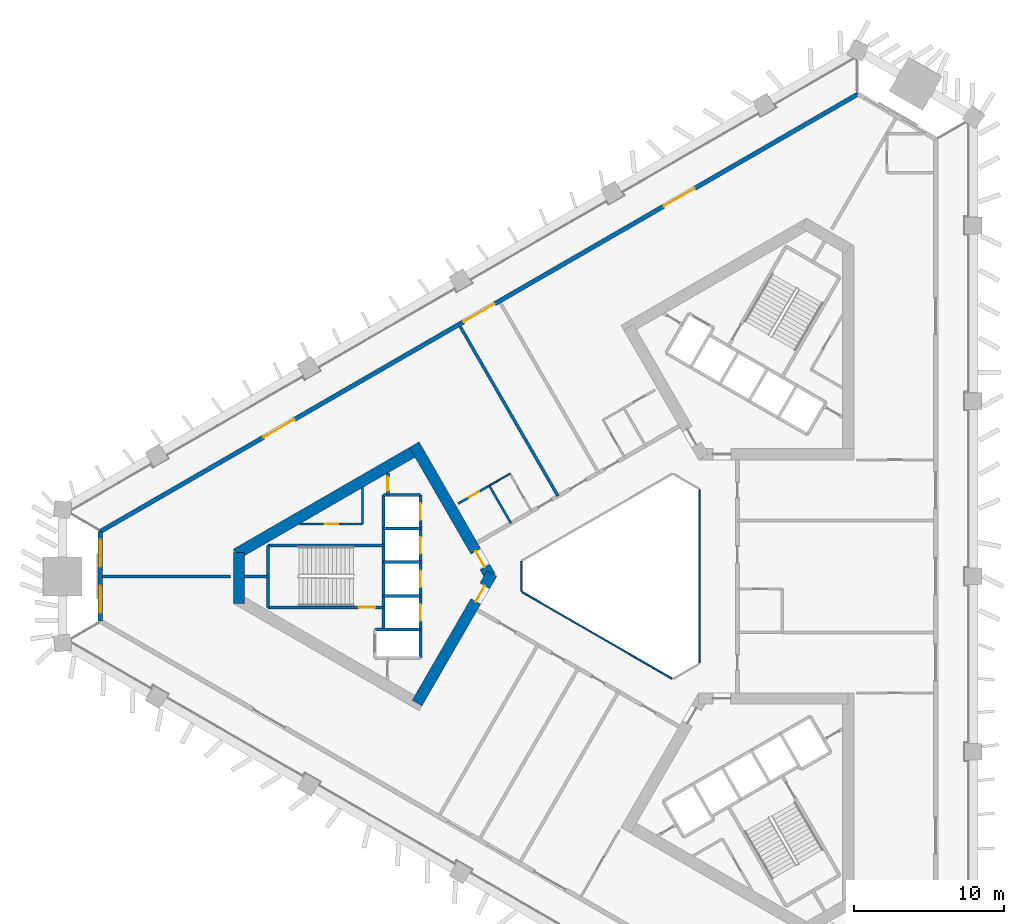
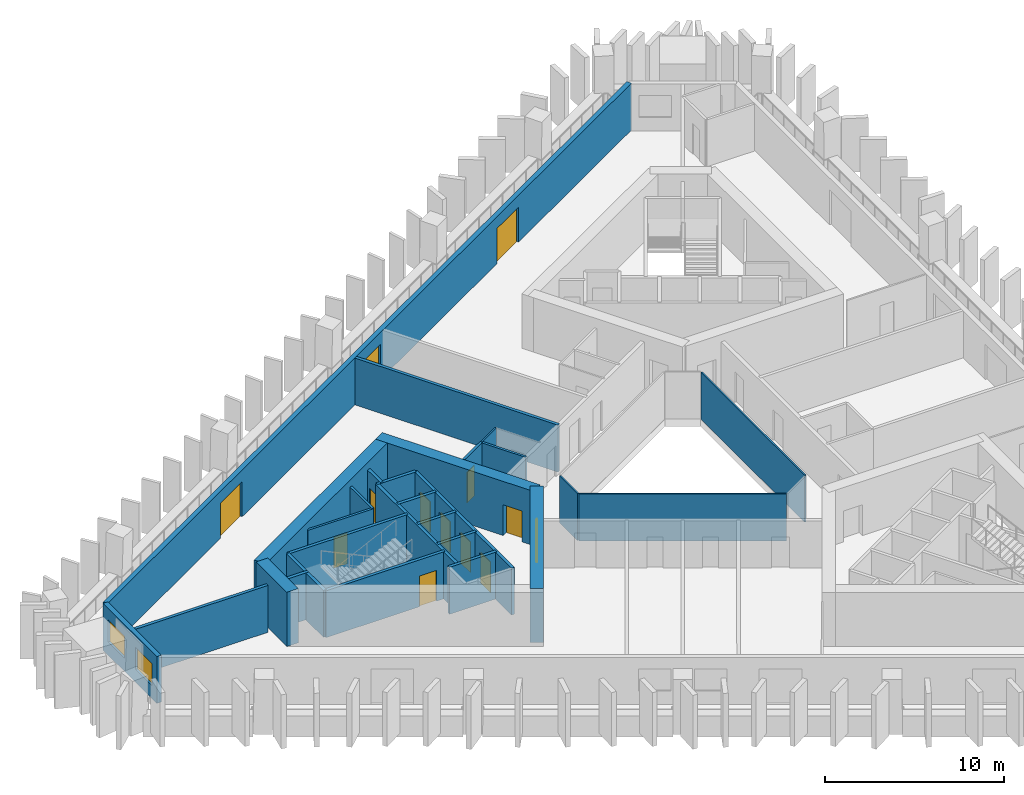
# One storey, part 4 of 10: 28 walls, 13 doors, 2 windows, 15 openings.
"""IFC4 building model written with IfcOpenShell, lengths in metres."""

from ifc_helpers import new_model, si_unit, direction, frame, frame_2d, origin, place, context, subcontext, project, spatial, rectangle, extrude, material, layer, layer_set, type_object, element, fill, save


model = new_model("IFC4")

# Units and contexts
model_context = context("Model", 3, precision=1e-05, world=origin(), true_north=direction((0.0, 1.0)))
body_context = subcontext(model_context, "Body", "Model", "MODEL_VIEW")
ifc_project = project(units=[si_unit("LENGTHUNIT", "METRE"), si_unit("AREAUNIT", "SQUARE_METRE"), si_unit("VOLUMEUNIT", "CUBIC_METRE"), si_unit("PLANEANGLEUNIT", "RADIAN"), si_unit("MASSUNIT", "GRAM", prefix="KILO")], contexts=[model_context])

# Site, building, storey
site_placement = place(None, origin())
site = spatial("IfcSite", under=ifc_project, at=site_placement, CompositionType="ELEMENT")
building_placement = place(site_placement, origin())
building = spatial("IfcBuilding", under=site, at=building_placement, Name="Jabali Bay Hotel Tower and Convention Centre", CompositionType="ELEMENT")
storey_placement = place(building_placement, frame((0.0, 0.0, 86.89990234375)))
storey = spatial("IfcBuildingStorey", under=building, at=storey_placement, Name="L20", CompositionType="ELEMENT", Elevation=86.89990234375)

# Walls
ifc_material_1 = material(Name="Fire-resistant glazing", Category="glass")
ifc_layer_1 = layer(ifc_material_1, 0.10009765625)
ifc_layer_set_1 = layer_set([ifc_layer_1], Name="Fire-resistant glazing")
wall_type_1 = type_object("IfcWallType", Name="Atrium glazed screen 100", PredefinedType="PARTITIONING", material=ifc_layer_set_1)
wall_1_placement = place(storey_placement, frame((79.56005859375, 74.205810546875, 0.0), z_axis=(0.0, 0.0, 1.0), x_axis=(0.0, 1.0, 0.0)))
element("IfcWall", 1, at=wall_1_placement, inside=storey, type_object=wall_type_1, Name="Atrium screen 1 L20", PredefinedType="PARTITIONING", context=body_context, shape_type="SweptSolid", body=[
    extrude(rectangle(XDim=11.58837890625, YDim=0.10009765625, at=frame_2d((5.794189453125, 0.0))), origin(), (0.0, 0.0, 1.0), 3.2001953125),
])
wall_2_placement = place(storey_placement, frame((67.672119140625, 81.0, 0.0), z_axis=(0.0, 0.0, 1.0), x_axis=(0.0, -1.0, 0.0)))
element("IfcWall", 2, at=wall_2_placement, inside=storey, type_object=wall_type_1, Name="Atrium screen 4 L20", PredefinedType="PARTITIONING", context=body_context, shape_type="SweptSolid", body=[
    extrude(rectangle(XDim=2.0, YDim=0.10009765625, at=frame_2d((1.0, 0.0))), origin(), (0.0, 0.0, 1.0), 3.2001953125),
])
wall_3_placement = place(storey_placement, frame((67.7021484375, 78.947998046875, 0.0), z_axis=(0.0, 0.0, 1.0), x_axis=(0.866026658274, -0.499997827154, 0.0)))
element("IfcWall", 3, at=wall_3_placement, inside=storey, type_object=wall_type_1, Name="Atrium screen 5 L20", PredefinedType="PARTITIONING", context=body_context, shape_type="SweptSolid", body=[
    extrude(rectangle(XDim=11.58837890625, YDim=0.10009765625, at=frame_2d((5.794189453125, 0.0))), origin(), (0.0, 0.0, 1.0), 3.2001953125),
])
ifc_material_2 = material(Name="Concrete C40", Category="concrete")
ifc_layer_2 = layer(ifc_material_2, 0.199951171875)
ifc_layer_set_2 = layer_set([ifc_layer_2], Name="Concrete C40")
wall_type_2 = type_object("IfcWallType", Name="Core partition wall 200", PredefinedType="PARTITIONING", material=ifc_layer_set_2)
wall_4_placement = place(storey_placement, frame((50.820068359375, 80.0, 0.0), z_axis=(0.0, 0.0, 1.0), x_axis=(-1.0, 0.0, 0.0)))
element("IfcWall", 4, at=wall_4_placement, inside=storey, type_object=wall_type_2, Name="Core wall 0.5 L20", PredefinedType="PARTITIONING", context=body_context, shape_type="SweptSolid", body=[
    extrude(rectangle(XDim=1.673095703125, YDim=0.199951171875, at=frame_2d((0.83642578125, 0.0))), origin(), (0.0, 0.0, 1.0), 3.2001953125),
])

# Wall, opening, door
wall_5_placement = place(storey_placement, frame((58.719970703125, 86.916748046875, 0.0), z_axis=(0.0, 0.0, 1.0), x_axis=(0.0, -1.0, 0.0)))
wall_5 = element("IfcWall", 5, at=wall_5_placement, inside=storey, type_object=wall_type_2, Name="Core wall 0.11 L20", PredefinedType="PARTITIONING", context=body_context, shape_type="SweptSolid", body=[
    extrude(rectangle(XDim=1.466796875, YDim=0.199951171875, at=frame_2d((0.7333984375, 0.0))), origin(), (0.0, 0.0, 1.0), 3.2001953125),
])
opening_1_placement = place(wall_5_placement, frame((0.283447265625, 0.0, 0.0)))
opening_1 = element("IfcOpeningElement", 6, at=opening_1_placement, cuts=wall_5, Name="Opening D477", PredefinedType="OPENING", context=body_context, shape_type="SweptSolid", body=[
    extrude(rectangle(XDim=0.89990234375, YDim=2.10009765625, at=frame_2d((0.449951171875, 1.050048828125))), frame((0.0, 0.1103515625, 0.0), z_axis=(0.0, -1.0, 0.0), x_axis=(1.0, 0.0, 0.0)), (0.0, 0.0, 1.0), 0.220947265625),
])
ifc_material_3 = material(Name="Fire-rated steel door", Category="steel")
door_type_1 = type_object("IfcDoorType", Name="Vestibule fire door 900 x 2100", OperationType="NOTDEFINED", PredefinedType="NOTDEFINED", material=ifc_material_3)
door_1_placement = place(opening_1_placement, origin())
door_1 = element("IfcDoor", 7, at=door_1_placement, inside=storey, type_object=door_type_1, Name="Vestibule fire door D477", OperationType="SINGLE_SWING_LEFT", OverallHeight=2.10009765625, OverallWidth=0.89990234375, PredefinedType="NOTDEFINED", context=body_context, shape_type="SweptSolid", body=[
    extrude(rectangle(XDim=0.89990234375, YDim=2.10009765625, at=frame_2d((0.449951171875, 1.050048828125))), frame((0.0, 0.02490234375, 0.0), z_axis=(0.0, -1.0, 0.0), x_axis=(1.0, 0.0, 0.0)), (0.0, 0.0, 1.0), 0.050048828125),
])
fill(opening_1, door_1)

ifc_material_4 = material(Name="Fire-rated board partition")
ifc_layer_3 = layer(ifc_material_4, 0.14990234375)
ifc_layer_set_3 = layer_set([ifc_layer_3], Name="Fire-rated board partition")
wall_type_3 = type_object("IfcWallType", Name="Core room partition 150", PredefinedType="PARTITIONING", material=ifc_layer_set_3)
wall_6_placement = place(storey_placement, frame((57.02001953125, 83.5, 0.0), z_axis=(0.0, 0.0, 1.0), x_axis=(-1.0, 0.0, 0.0)))
wall_6 = element("IfcWall", 8, at=wall_6_placement, inside=storey, type_object=wall_type_3, Name="Core wall 0.1 L20", PredefinedType="PARTITIONING", context=body_context, shape_type="SweptSolid", body=[
    extrude(rectangle(XDim=4.2177734375, YDim=0.14990234375, at=frame_2d((2.10888671875, 0.0))), origin(), (0.0, 0.0, 1.0), 3.2001953125),
])
opening_2_placement = place(wall_6_placement, frame((1.63134765625, 0.0, 0.0)))
opening_2 = element("IfcOpeningElement", 9, at=opening_2_placement, cuts=wall_6, Name="Opening D479", PredefinedType="OPENING", context=body_context, shape_type="SweptSolid", body=[
    extrude(rectangle(XDim=0.89990234375, YDim=2.10009765625, at=frame_2d((0.449951171875, 1.050048828125))), frame((0.0, 0.08544921875, 0.0), z_axis=(0.0, -1.0, 0.0), x_axis=(1.0, 0.0, 0.0)), (0.0, 0.0, 1.0), 0.1708984375),
])
door_type_2 = type_object("IfcDoorType", Name="Core room door 900 x 2100", OperationType="NOTDEFINED", PredefinedType="NOTDEFINED", material=ifc_material_3)
door_2_placement = place(opening_2_placement, origin())
door_2 = element("IfcDoor", 10, at=door_2_placement, inside=storey, type_object=door_type_2, Name="Core room door D479", OperationType="SINGLE_SWING_LEFT", OverallHeight=2.10009765625, OverallWidth=0.89990234375, PredefinedType="NOTDEFINED", context=body_context, shape_type="SweptSolid", body=[
    extrude(rectangle(XDim=0.89990234375, YDim=2.10009765625, at=frame_2d((0.449951171875, 1.050048828125))), frame((0.0, 0.02490234375, 0.0), z_axis=(0.0, -1.0, 0.0), x_axis=(1.0, 0.0, 0.0)), (0.0, 0.0, 1.0), 0.050048828125),
])
fill(opening_2, door_2)

# Walls
wall_7_placement = place(storey_placement, frame((57.02001953125, 85.935302734375, 0.0), z_axis=(0.0, 0.0, 1.0), x_axis=(0.0, -1.0, 0.0)))
element("IfcWall", 11, at=wall_7_placement, inside=storey, type_object=wall_type_3, Name="Core wall 0.15 L20", PredefinedType="PARTITIONING", context=body_context, shape_type="SweptSolid", body=[
    extrude(rectangle(XDim=2.435302734375, YDim=0.14990234375, at=frame_2d((1.2177734375, 0.0))), origin(), (0.0, 0.0, 1.0), 3.2001953125),
])
ifc_layer_4 = layer(ifc_material_2, 0.199951171875)
ifc_layer_set_4 = layer_set([ifc_layer_4], Name="Concrete C40")
wall_type_4 = type_object("IfcWallType", Name="Core stair wall 200", PredefinedType="SOLIDWALL", material=ifc_layer_set_4)
for number, where, z_axis, x_axis, name in (
    (12, (60.89990234375, 85.449951171875, 0.0), (0.0, 0.0, 1.0), (-1.0, 0.0, 0.0), "Core wall 0.0 L20"),
    (13, (60.89990234375, 83.199951171875, 0.0), (0.0, 0.0, 1.0), (-1.0, 0.0, 0.0), "Core wall 0.2 L20"),
):
    element("IfcWall", number, at=place(storey_placement, frame(where, z_axis=z_axis, x_axis=x_axis)), inside=storey, type_object=wall_type_4, Name=name, PredefinedType="SOLIDWALL", context=body_context, shape_type="SweptSolid", body=[
        extrude(rectangle(XDim=2.47998046875, YDim=0.199951171875, at=frame_2d((1.239990234375, 0.0))), origin(), (0.0, 0.0, 1.0), 3.2001953125),
    ])
wall_8_placement = place(storey_placement, frame((58.419921875, 82.074951171875, 0.0), z_axis=(0.0, 0.0, 1.0), x_axis=(-1.0, 0.0, 0.0)))
element("IfcWall", 14, at=wall_8_placement, inside=storey, type_object=wall_type_4, Name="Core wall 0.3 L20", PredefinedType="SOLIDWALL", context=body_context, shape_type="SweptSolid", body=[
    extrude(rectangle(XDim=7.699951171875, YDim=0.199951171875, at=frame_2d((3.85009765625, 0.0))), origin(), (0.0, 0.0, 1.0), 3.2001953125),
])
for number, where, z_axis, x_axis, name in (
    (15, (60.89990234375, 80.949951171875, 0.0), (0.0, 0.0, 1.0), (-1.0, 0.0, 0.0), "Core wall 0.4 L20"),
    (16, (60.89990234375, 78.699951171875, 0.0), (0.0, 0.0, 1.0), (-1.0, 0.0, 0.0), "Core wall 0.6 L20"),
):
    element("IfcWall", number, at=place(storey_placement, frame(where, z_axis=z_axis, x_axis=x_axis)), inside=storey, type_object=wall_type_4, Name=name, PredefinedType="SOLIDWALL", context=body_context, shape_type="SweptSolid", body=[
        extrude(rectangle(XDim=2.47998046875, YDim=0.199951171875, at=frame_2d((1.239990234375, 0.0))), origin(), (0.0, 0.0, 1.0), 3.2001953125),
    ])

# Wall, opening, door
wall_9_placement = place(storey_placement, frame((58.419921875, 77.925048828125, 0.0), z_axis=(0.0, 0.0, 1.0), x_axis=(-1.0, 0.0, 0.0)))
wall_9 = element("IfcWall", 17, at=wall_9_placement, inside=storey, type_object=wall_type_4, Name="Core wall 0.7 L20", PredefinedType="SOLIDWALL", context=body_context, shape_type="SweptSolid", body=[
    extrude(rectangle(XDim=7.699951171875, YDim=0.199951171875, at=frame_2d((3.85009765625, 0.0))), origin(), (0.0, 0.0, 1.0), 3.2001953125),
])
opening_3_placement = place(wall_9_placement, frame((0.550048828125, 0.0, 0.0)))
opening_3 = element("IfcOpeningElement", 18, at=opening_3_placement, cuts=wall_9, Name="Opening D478", PredefinedType="OPENING", context=body_context, shape_type="SweptSolid", body=[
    extrude(rectangle(XDim=1.10009765625, YDim=2.10009765625, at=frame_2d((0.550048828125, 1.050048828125))), frame((0.0, 0.1103515625, 0.0), z_axis=(0.0, -1.0, 0.0), x_axis=(1.0, 0.0, 0.0)), (0.0, 0.0, 1.0), 0.220947265625),
])
door_type_3 = type_object("IfcDoorType", Name="Stair fire door 1100 x 2100", OperationType="NOTDEFINED", PredefinedType="NOTDEFINED", material=ifc_material_3)
door_3_placement = place(opening_3_placement, origin())
door_3 = element("IfcDoor", 19, at=door_3_placement, inside=storey, type_object=door_type_3, Name="Stair fire door D478", OperationType="SINGLE_SWING_RIGHT", OverallHeight=2.10009765625, OverallWidth=1.10009765625, PredefinedType="NOTDEFINED", context=body_context, shape_type="SweptSolid", body=[
    extrude(rectangle(XDim=1.10009765625, YDim=2.10009765625, at=frame_2d((0.550048828125, 1.050048828125))), frame((0.0, 0.02490234375, 0.0), z_axis=(0.0, -1.0, 0.0), x_axis=(1.0, 0.0, 0.0)), (0.0, 0.0, 1.0), 0.050048828125),
])
fill(opening_3, door_3)

# Wall
wall_10_placement = place(storey_placement, frame((60.89990234375, 76.449951171875, 0.0), z_axis=(0.0, 0.0, 1.0), x_axis=(-1.0, 0.0, 0.0)))
element("IfcWall", 20, at=wall_10_placement, inside=storey, type_object=wall_type_4, Name="Core wall 0.8 L20", PredefinedType="SOLIDWALL", context=body_context, shape_type="SweptSolid", body=[
    extrude(rectangle(XDim=3.0498046875, YDim=0.199951171875, at=frame_2d((1.52490234375, 0.0))), origin(), (0.0, 0.0, 1.0), 3.2001953125),
])

# Wall, openings, doors
wall_11_placement = place(storey_placement, frame((60.89990234375, 85.449951171875, 0.0), z_axis=(0.0, 0.0, 1.0), x_axis=(0.0, -1.0, 0.0)))
wall_11 = element("IfcWall", 21, at=wall_11_placement, inside=storey, type_object=wall_type_4, Name="Core wall 0.10 L20", PredefinedType="SOLIDWALL", context=body_context, shape_type="SweptSolid", body=[
    extrude(rectangle(XDim=10.89990234375, YDim=0.199951171875, at=frame_2d((5.449951171875, 0.0))), origin(), (0.0, 0.0, 1.0), 3.2001953125),
])
opening_4_placement = place(wall_11_placement, frame((0.574951171875, 0.0, 0.0)))
opening_4 = element("IfcOpeningElement", 22, at=opening_4_placement, cuts=wall_11, Name="Opening LD1-L20", PredefinedType="OPENING", context=body_context, shape_type="SweptSolid", body=[
    extrude(rectangle(XDim=1.10009765625, YDim=2.10009765625, at=frame_2d((0.550048828125, 1.050048828125))), frame((0.0, 0.1103515625, 0.0), z_axis=(0.0, -1.0, 0.0), x_axis=(1.0, 0.0, 0.0)), (0.0, 0.0, 1.0), 0.220947265625),
])
opening_5_placement = place(wall_11_placement, frame((2.824951171875, 0.0, 0.0)))
opening_5 = element("IfcOpeningElement", 23, at=opening_5_placement, cuts=wall_11, Name="Opening LD2-L20", PredefinedType="OPENING", context=body_context, shape_type="SweptSolid", body=[
    extrude(rectangle(XDim=1.10009765625, YDim=2.10009765625, at=frame_2d((0.550048828125, 1.050048828125))), frame((0.0, 0.1103515625, 0.0), z_axis=(0.0, -1.0, 0.0), x_axis=(1.0, 0.0, 0.0)), (0.0, 0.0, 1.0), 0.220947265625),
])
opening_6_placement = place(wall_11_placement, frame((5.074951171875, 0.0, 0.0)))
opening_6 = element("IfcOpeningElement", 24, at=opening_6_placement, cuts=wall_11, Name="Opening LD3-L20", PredefinedType="OPENING", context=body_context, shape_type="SweptSolid", body=[
    extrude(rectangle(XDim=1.10009765625, YDim=2.10009765625, at=frame_2d((0.550048828125, 1.050048828125))), frame((0.0, 0.1103515625, 0.0), z_axis=(0.0, -1.0, 0.0), x_axis=(1.0, 0.0, 0.0)), (0.0, 0.0, 1.0), 0.220947265625),
])
opening_7_placement = place(wall_11_placement, frame((7.324951171875, 0.0, 0.0)))
opening_7 = element("IfcOpeningElement", 25, at=opening_7_placement, cuts=wall_11, Name="Opening LD4-L20", PredefinedType="OPENING", context=body_context, shape_type="SweptSolid", body=[
    extrude(rectangle(XDim=1.10009765625, YDim=2.10009765625, at=frame_2d((0.550048828125, 1.050048828125))), frame((0.0, 0.1103515625, 0.0), z_axis=(0.0, -1.0, 0.0), x_axis=(1.0, 0.0, 0.0)), (0.0, 0.0, 1.0), 0.220947265625),
])
ifc_material_5 = material(Name="Stainless steel landing door", Category="steel")
door_type_4 = type_object("IfcDoorType", Name="Landing door 1100 x 2100", OperationType="NOTDEFINED", PredefinedType="NOTDEFINED", material=ifc_material_5)
door_4_placement = place(opening_4_placement, origin())
door_4 = element("IfcDoor", 26, at=door_4_placement, inside=storey, type_object=door_type_4, Name="Landing doors LD1-L20", OperationType="SLIDING_TO_RIGHT", OverallHeight=2.10009765625, OverallWidth=1.10009765625, PredefinedType="NOTDEFINED", context=body_context, shape_type="SweptSolid", body=[
    extrude(rectangle(XDim=1.10009765625, YDim=2.10009765625, at=frame_2d((0.550048828125, 1.050048828125))), frame((0.0, 0.02490234375, 0.0), z_axis=(0.0, -1.0, 0.0), x_axis=(1.0, 0.0, 0.0)), (0.0, 0.0, 1.0), 0.050048828125),
])
fill(opening_4, door_4)
door_5_placement = place(opening_5_placement, origin())
door_5 = element("IfcDoor", 27, at=door_5_placement, inside=storey, type_object=door_type_4, Name="Landing doors LD2-L20", OperationType="SLIDING_TO_LEFT", OverallHeight=2.10009765625, OverallWidth=1.10009765625, PredefinedType="NOTDEFINED", context=body_context, shape_type="SweptSolid", body=[
    extrude(rectangle(XDim=1.10009765625, YDim=2.10009765625, at=frame_2d((0.550048828125, 1.050048828125))), frame((0.0, 0.02490234375, 0.0), z_axis=(0.0, -1.0, 0.0), x_axis=(1.0, 0.0, 0.0)), (0.0, 0.0, 1.0), 0.050048828125),
])
fill(opening_5, door_5)
door_6_placement = place(opening_6_placement, origin())
door_6 = element("IfcDoor", 28, at=door_6_placement, inside=storey, type_object=door_type_4, Name="Landing doors LD3-L20", OperationType="SLIDING_TO_RIGHT", OverallHeight=2.10009765625, OverallWidth=1.10009765625, PredefinedType="NOTDEFINED", context=body_context, shape_type="SweptSolid", body=[
    extrude(rectangle(XDim=1.10009765625, YDim=2.10009765625, at=frame_2d((0.550048828125, 1.050048828125))), frame((0.0, 0.02490234375, 0.0), z_axis=(0.0, -1.0, 0.0), x_axis=(1.0, 0.0, 0.0)), (0.0, 0.0, 1.0), 0.050048828125),
])
fill(opening_6, door_6)
door_7_placement = place(opening_7_placement, origin())
door_7 = element("IfcDoor", 29, at=door_7_placement, inside=storey, type_object=door_type_4, Name="Landing doors LD4-L20", OperationType="SLIDING_TO_LEFT", OverallHeight=2.10009765625, OverallWidth=1.10009765625, PredefinedType="NOTDEFINED", context=body_context, shape_type="SweptSolid", body=[
    extrude(rectangle(XDim=1.10009765625, YDim=2.10009765625, at=frame_2d((0.550048828125, 1.050048828125))), frame((0.0, 0.02490234375, 0.0), z_axis=(0.0, -1.0, 0.0), x_axis=(1.0, 0.0, 0.0)), (0.0, 0.0, 1.0), 0.050048828125),
])
fill(opening_7, door_7)

# Walls
wall_12_placement = place(storey_placement, frame((58.419921875, 85.449951171875, 0.0), z_axis=(0.0, 0.0, 1.0), x_axis=(0.0, -1.0, 0.0)))
element("IfcWall", 30, at=wall_12_placement, inside=storey, type_object=wall_type_4, Name="Core wall 0.13 L20", PredefinedType="SOLIDWALL", context=body_context, shape_type="SweptSolid", body=[
    extrude(rectangle(XDim=9.0, YDim=0.199951171875, at=frame_2d((4.5, 0.0))), origin(), (0.0, 0.0, 1.0), 3.2001953125),
])
wall_13_placement = place(storey_placement, frame((50.719970703125, 82.074951171875, 0.0), z_axis=(0.0, 0.0, 1.0), x_axis=(0.0, -1.0, 0.0)))
element("IfcWall", 31, at=wall_13_placement, inside=storey, type_object=wall_type_4, Name="Core wall 0.16 L20", PredefinedType="SOLIDWALL", context=body_context, shape_type="SweptSolid", body=[
    extrude(rectangle(XDim=4.14990234375, YDim=0.199951171875, at=frame_2d((2.074951171875, 0.0))), origin(), (0.0, 0.0, 1.0), 3.2001953125),
])

# Wall, opening, door
ifc_material_6 = material(Name="Concrete C60", Category="concrete")
ifc_layer_5 = layer(ifc_material_6, 0.75)
ifc_layer_set_5 = layer_set([ifc_layer_5], Name="Concrete C60")
wall_type_5 = type_object("IfcWallType", Name="Core wall 750", PredefinedType="SHEAR", material=ifc_layer_set_5)
wall_14_placement = place(storey_placement, frame((65.56689453125, 80.0, 0.0), z_axis=(0.0, 0.0, 1.0), x_axis=(-0.499988615364, 0.866031976607, 0.0)))
wall_14 = element("IfcWall", 32, at=wall_14_placement, inside=storey, type_object=wall_type_5, Name="Core wall 1.1 L20", PredefinedType="SHEAR", context=body_context, shape_type="SweptSolid", body=[
    extrude(rectangle(XDim=10.163330078125, YDim=0.75, at=frame_2d((5.08154296875, 0.0))), origin(), (0.0, 0.0, 1.0), 3.7001953125),
])
opening_8_placement = place(wall_14_placement, frame((0.7333984375, 0.0, 0.0)))
opening_8 = element("IfcOpeningElement", 33, at=opening_8_placement, cuts=wall_14, Name="Opening D474", PredefinedType="OPENING", context=body_context, shape_type="SweptSolid", body=[
    extrude(rectangle(XDim=1.199951171875, YDim=2.10009765625, at=frame_2d((0.60009765625, 1.050048828125))), frame((0.0, 0.385498046875, 0.0), z_axis=(0.0, -1.0, 0.0), x_axis=(1.0, 0.0, 0.0)), (0.0, 0.0, 1.0), 0.77099609375),
])
door_type_5 = type_object("IfcDoorType", Name="Corridor end fire door 1200 x 2100", OperationType="NOTDEFINED", PredefinedType="NOTDEFINED", material=ifc_material_3)
door_8_placement = place(opening_8_placement, origin())
door_8 = element("IfcDoor", 34, at=door_8_placement, inside=storey, type_object=door_type_5, Name="Corridor end fire door D474", OperationType="SINGLE_SWING_RIGHT", OverallHeight=2.10009765625, OverallWidth=1.199951171875, PredefinedType="NOTDEFINED", context=body_context, shape_type="SweptSolid", body=[
    extrude(rectangle(XDim=1.199951171875, YDim=2.10009765625, at=frame_2d((0.60009765625, 1.050048828125))), frame((0.0, 0.02490234375, 0.0), z_axis=(0.0, -1.0, 0.0), x_axis=(1.0, 0.0, 0.0)), (0.0, 0.0, 1.0), 0.050048828125),
])
fill(opening_8, door_8)

# Walls
wall_15_placement = place(storey_placement, frame((60.6728515625, 88.47705078125, 0.0), z_axis=(0.0, 0.0, 1.0), x_axis=(-0.8660248072, -0.500001033313, 0.0)))
element("IfcWall", 35, at=wall_15_placement, inside=storey, type_object=wall_type_5, Name="Core wall 1.2 L20", PredefinedType="SHEAR", context=body_context, shape_type="SweptSolid", body=[
    extrude(rectangle(XDim=13.95849609375, YDim=0.75, at=frame_2d((6.979248046875, 0.0))), origin(), (0.0, 0.0, 1.0), 3.7001953125),
])
wall_16_placement = place(storey_placement, frame((48.77197265625, 81.606201171875, 0.0), z_axis=(0.0, 0.0, 1.0), x_axis=(0.0, -1.0, 0.0)))
element("IfcWall", 36, at=wall_16_placement, inside=storey, type_object=wall_type_5, Name="Core wall 1.3 L20", PredefinedType="SHEAR", context=body_context, shape_type="SweptSolid", body=[
    extrude(rectangle(XDim=3.428955078125, YDim=0.75, at=frame_2d((1.71435546875, 0.0))), origin(), (0.0, 0.0, 1.0), 3.7001953125),
])

# Wall, opening, door
wall_17_placement = place(storey_placement, frame((60.6728515625, 71.52294921875, 0.0), z_axis=(0.0, 0.0, 1.0), x_axis=(0.499997052475, 0.866027105532, 0.0)))
wall_17 = element("IfcWall", 37, at=wall_17_placement, inside=storey, type_object=wall_type_5, Name="Core wall 1.5 L20", PredefinedType="SHEAR", context=body_context, shape_type="SweptSolid", body=[
    extrude(rectangle(XDim=10.0048828125, YDim=0.75, at=frame_2d((5.00244140625, 0.0))), origin(), (0.0, 0.0, 1.0), 3.7001953125),
])
opening_9_placement = place(wall_17_placement, frame((7.85498046875, 0.0, 0.0)))
opening_9 = element("IfcOpeningElement", 38, at=opening_9_placement, cuts=wall_17, Name="Opening D475", PredefinedType="OPENING", context=body_context, shape_type="SweptSolid", body=[
    extrude(rectangle(XDim=1.199951171875, YDim=2.10009765625, at=frame_2d((0.60009765625, 1.050048828125))), frame((0.0, 0.385498046875, 0.0), z_axis=(0.0, -1.0, 0.0), x_axis=(1.0, 0.0, 0.0)), (0.0, 0.0, 1.0), 0.77099609375),
])
door_9_placement = place(opening_9_placement, origin())
door_9 = element("IfcDoor", 39, at=door_9_placement, inside=storey, type_object=door_type_5, Name="Corridor end fire door D475", OperationType="SINGLE_SWING_LEFT", OverallHeight=2.10009765625, OverallWidth=1.199951171875, PredefinedType="NOTDEFINED", context=body_context, shape_type="SweptSolid", body=[
    extrude(rectangle(XDim=1.199951171875, YDim=2.10009765625, at=frame_2d((0.60009765625, 1.050048828125))), frame((0.0, 0.02490234375, 0.0), z_axis=(0.0, -1.0, 0.0), x_axis=(1.0, 0.0, 0.0)), (0.0, 0.0, 1.0), 0.050048828125),
])
fill(opening_9, door_9)

# Wall, openings, windows
ifc_layer_6 = layer(ifc_material_2, 0.300048828125)
ifc_layer_set_6 = layer_set([ifc_layer_6], Name="Concrete C40")
wall_type_6 = type_object("IfcWallType", Name="External wall 300", PredefinedType="SOLIDWALL", material=ifc_layer_set_6)
wall_18_placement = place(storey_placement, frame((39.483642578125, 77.005859375, 0.0), z_axis=(0.0, 0.0, 1.0), x_axis=(0.0, 1.0, 0.0)))
wall_18 = element("IfcWall", 40, at=wall_18_placement, inside=storey, type_object=wall_type_6, Name="External wall west chamfer L20", PredefinedType="SOLIDWALL", context=body_context, shape_type="SweptSolid", body=[
    extrude(rectangle(XDim=5.98828125, YDim=0.300048828125, at=frame_2d((2.994140625, 0.0))), origin(), (0.0, 0.0, 1.0), 3.2001953125),
])
opening_10_placement = place(wall_18_placement, frame((0.55419921875, 0.0, 0.89990234375)))
opening_10 = element("IfcOpeningElement", 41, at=opening_10_placement, cuts=wall_18, Name="Opening W1", PredefinedType="OPENING", context=body_context, shape_type="SweptSolid", body=[
    extrude(rectangle(XDim=1.800048828125, YDim=1.5, at=frame_2d((0.89990234375, 0.75))), frame((0.0, 0.16064453125, 0.0), z_axis=(0.0, -1.0, 0.0), x_axis=(1.0, 0.0, 0.0)), (0.0, 0.0, 1.0), 0.321044921875),
])
opening_11_placement = place(wall_18_placement, frame((3.634033203125, 0.0, 0.89990234375)))
opening_11 = element("IfcOpeningElement", 42, at=opening_11_placement, cuts=wall_18, Name="Opening W1", PredefinedType="OPENING", context=body_context, shape_type="SweptSolid", body=[
    extrude(rectangle(XDim=1.800048828125, YDim=1.5, at=frame_2d((0.89990234375, 0.75))), frame((0.0, 0.16064453125, 0.0), z_axis=(0.0, -1.0, 0.0), x_axis=(1.0, 0.0, 0.0)), (0.0, 0.0, 1.0), 0.321044921875),
])
ifc_material_7 = material(Name="Glass", Category="glass")
window_type = type_object("IfcWindowType", Name="Window 1800 x 1500", PartitioningType="SINGLE_PANEL", PredefinedType="WINDOW", material=ifc_material_7)
window_1_placement = place(opening_10_placement, origin())
window_1 = element("IfcWindow", 43, at=window_1_placement, inside=storey, type_object=window_type, Name="Window 2006", OverallHeight=1.5, OverallWidth=1.800048828125, PartitioningType="SINGLE_PANEL", PredefinedType="WINDOW", context=body_context, shape_type="SweptSolid", body=[
    extrude(rectangle(XDim=1.800048828125, YDim=1.5, at=frame_2d((0.89990234375, 0.75))), frame((0.0, 0.030029296875, 0.0), z_axis=(0.0, -1.0, 0.0), x_axis=(1.0, 0.0, 0.0)), (0.0, 0.0, 1.0), 0.06005859375),
])
fill(opening_10, window_1)
window_2_placement = place(opening_11_placement, origin())
window_2 = element("IfcWindow", 44, at=window_2_placement, inside=storey, type_object=window_type, Name="Window 2005", OverallHeight=1.5, OverallWidth=1.800048828125, PartitioningType="SINGLE_PANEL", PredefinedType="WINDOW", context=body_context, shape_type="SweptSolid", body=[
    extrude(rectangle(XDim=1.800048828125, YDim=1.5, at=frame_2d((0.89990234375, 0.75))), frame((0.0, 0.030029296875, 0.0), z_axis=(0.0, -1.0, 0.0), x_axis=(1.0, 0.0, 0.0)), (0.0, 0.0, 1.0), 0.06005859375),
])
fill(opening_11, window_2)

# Wall, openings, doors
wall_19_placement = place(storey_placement, frame((39.483642578125, 82.994140625, 0.0), z_axis=(0.0, 0.0, 1.0), x_axis=(0.866025940441, 0.499999070483, 0.0)))
wall_19 = element("IfcWall", 45, at=wall_19_placement, inside=storey, type_object=wall_type_6, Name="External wall north-west face L20", PredefinedType="SOLIDWALL", context=body_context, shape_type="SweptSolid", body=[
    extrude(rectangle(XDim=58.52197265625, YDim=0.300048828125, at=frame_2d((29.260986328125, 0.0))), origin(), (0.0, 0.0, 1.0), 3.2001953125),
])
opening_12_placement = place(wall_19_placement, frame((43.514404296875, 0.0, 0.0)))
opening_12 = element("IfcOpeningElement", 46, at=opening_12_placement, cuts=wall_19, Name="Opening SD1", PredefinedType="OPENING", context=body_context, shape_type="SweptSolid", body=[
    extrude(rectangle(XDim=2.39990234375, YDim=2.39990234375, at=frame_2d((1.199951171875, 1.199951171875))), frame((0.0, 0.16064453125, 0.0), z_axis=(0.0, -1.0, 0.0), x_axis=(1.0, 0.0, 0.0)), (0.0, 0.0, 1.0), 0.321044921875),
])
opening_13_placement = place(wall_19_placement, frame((12.60791015625, 0.0, 0.0)))
opening_13 = element("IfcOpeningElement", 47, at=opening_13_placement, cuts=wall_19, Name="Opening SD1", PredefinedType="OPENING", context=body_context, shape_type="SweptSolid", body=[
    extrude(rectangle(XDim=2.39990234375, YDim=2.39990234375, at=frame_2d((1.199951171875, 1.199951171875))), frame((0.0, 0.16064453125, 0.0), z_axis=(0.0, -1.0, 0.0), x_axis=(1.0, 0.0, 0.0)), (0.0, 0.0, 1.0), 0.321044921875),
])
opening_14_placement = place(wall_19_placement, frame((28.06103515625, 0.0, 0.0)))
opening_14 = element("IfcOpeningElement", 48, at=opening_14_placement, cuts=wall_19, Name="Opening SD1", PredefinedType="OPENING", context=body_context, shape_type="SweptSolid", body=[
    extrude(rectangle(XDim=2.39990234375, YDim=2.39990234375, at=frame_2d((1.199951171875, 1.199951171875))), frame((0.0, 0.16064453125, 0.0), z_axis=(0.0, -1.0, 0.0), x_axis=(1.0, 0.0, 0.0)), (0.0, 0.0, 1.0), 0.321044921875),
])
door_type_6 = type_object("IfcDoorType", Name="Loggia sliding door 2400 x 2400", OperationType="NOTDEFINED", PredefinedType="NOTDEFINED", material=ifc_material_7)
door_10_placement = place(opening_12_placement, origin())
door_10 = element("IfcDoor", 49, at=door_10_placement, inside=storey, type_object=door_type_6, Name="Loggia sliding door 2004", OperationType="SLIDING_TO_LEFT", OverallHeight=2.39990234375, OverallWidth=2.39990234375, PredefinedType="NOTDEFINED", context=body_context, shape_type="SweptSolid", body=[
    extrude(rectangle(XDim=2.39990234375, YDim=2.39990234375, at=frame_2d((1.199951171875, 1.199951171875))), frame((0.0, 0.02490234375, 0.0), z_axis=(0.0, -1.0, 0.0), x_axis=(1.0, 0.0, 0.0)), (0.0, 0.0, 1.0), 0.050048828125),
])
fill(opening_12, door_10)
door_11_placement = place(opening_13_placement, origin())
door_11 = element("IfcDoor", 50, at=door_11_placement, inside=storey, type_object=door_type_6, Name="Loggia sliding door 2005", OperationType="SLIDING_TO_RIGHT", OverallHeight=2.39990234375, OverallWidth=2.39990234375, PredefinedType="NOTDEFINED", context=body_context, shape_type="SweptSolid", body=[
    extrude(rectangle(XDim=2.39990234375, YDim=2.39990234375, at=frame_2d((1.199951171875, 1.199951171875))), frame((0.0, 0.02490234375, 0.0), z_axis=(0.0, -1.0, 0.0), x_axis=(1.0, 0.0, 0.0)), (0.0, 0.0, 1.0), 0.050048828125),
])
fill(opening_13, door_11)
door_12_placement = place(opening_14_placement, origin())
door_12 = element("IfcDoor", 51, at=door_12_placement, inside=storey, type_object=door_type_6, Name="Loggia sliding door", OperationType="SLIDING_TO_LEFT", OverallHeight=2.39990234375, OverallWidth=2.39990234375, PredefinedType="NOTDEFINED", context=body_context, shape_type="SweptSolid", body=[
    extrude(rectangle(XDim=2.39990234375, YDim=2.39990234375, at=frame_2d((1.199951171875, 1.199951171875))), frame((0.0, 0.02490234375, 0.0), z_axis=(0.0, -1.0, 0.0), x_axis=(1.0, 0.0, 0.0)), (0.0, 0.0, 1.0), 0.050048828125),
])
fill(opening_14, door_12)

# Wall
ifc_material_8 = material(Name="Plasterboard on steel stud", Category="steel")
ifc_layer_7 = layer(ifc_material_8, 0.10009765625)
ifc_layer_set_7 = layer_set([ifc_layer_7], Name="Plasterboard on steel stud")
wall_type_7 = type_object("IfcWallType", Name="Partition 100 unit", PredefinedType="PARTITIONING", material=ifc_layer_set_7)
wall_20_placement = place(storey_placement, frame((65.501708984375, 86.063232421875, 0.0), z_axis=(0.0, 0.0, 1.0), x_axis=(0.866055983265, 0.499947031044, 0.0)))
element("IfcWall", 52, at=wall_20_placement, inside=storey, type_object=wall_type_7, Name="Partition P02 L20 023", PredefinedType="PARTITIONING", context=body_context, shape_type="SweptSolid", body=[
    extrude(rectangle(XDim=1.599853515625, YDim=0.10009765625, at=frame_2d((0.7998046875, 0.0))), origin(), (0.0, 0.0, 1.0), 3.2001953125),
])

# Wall, opening, door
ifc_layer_8 = layer(ifc_material_8, 0.14990234375)
ifc_layer_set_8 = layer_set([ifc_layer_8], Name="Plasterboard on steel stud")
wall_type_8 = type_object("IfcWallType", Name="Partition 150 wet", PredefinedType="PARTITIONING", material=ifc_layer_set_8)
wall_21_placement = place(storey_placement, frame((63.42236328125, 84.862548828125, 0.0), z_axis=(0.0, 0.0, 1.0), x_axis=(0.865994240961, 0.500053971709, 0.0)))
wall_21 = element("IfcWall", 53, at=wall_21_placement, inside=storey, type_object=wall_type_8, Name="Partition P03 L20 022", PredefinedType="PARTITIONING", context=body_context, shape_type="SweptSolid", body=[
    extrude(rectangle(XDim=2.401123046875, YDim=0.14990234375, at=frame_2d((1.20068359375, 0.0))), origin(), (0.0, 0.0, 1.0), 3.2001953125),
])
opening_15_placement = place(wall_21_placement, frame((0.801025390625, 0.0, 0.0)))
opening_15 = element("IfcOpeningElement", 54, at=opening_15_placement, cuts=wall_21, Name="Opening 2013", PredefinedType="OPENING", context=body_context, shape_type="SweptSolid", body=[
    extrude(rectangle(XDim=0.800048828125, YDim=2.10009765625, at=frame_2d((0.39990234375, 1.050048828125))), frame((0.0, 0.08544921875, 0.0), z_axis=(0.0, -1.0, 0.0), x_axis=(1.0, 0.0, 0.0)), (0.0, 0.0, 1.0), 0.1708984375),
])
ifc_material_9 = material(Name="Timber", Category="wood")
door_type_7 = type_object("IfcDoorType", Name="En-suite door 800 x 2100", OperationType="NOTDEFINED", PredefinedType="NOTDEFINED", material=ifc_material_9)
door_13_placement = place(opening_15_placement, origin())
door_13 = element("IfcDoor", 55, at=door_13_placement, inside=storey, type_object=door_type_7, Name="Door 2013", OperationType="SINGLE_SWING_LEFT", OverallHeight=2.10009765625, OverallWidth=0.800048828125, PredefinedType="NOTDEFINED", context=body_context, shape_type="SweptSolid", body=[
    extrude(rectangle(XDim=0.800048828125, YDim=2.10009765625, at=frame_2d((0.39990234375, 1.050048828125))), frame((0.0, 0.02490234375, 0.0), z_axis=(0.0, -1.0, 0.0), x_axis=(1.0, 0.0, 0.0)), (0.0, 0.0, 1.0), 0.050048828125),
])
fill(opening_15, door_13)

# Walls
wall_22_placement = place(storey_placement, frame((66.95166015625, 83.5517578125, 0.0), z_axis=(0.0, 0.0, 1.0), x_axis=(-0.499987231761, 0.866032775405, 0.0)))
element("IfcWall", 56, at=wall_22_placement, inside=storey, type_object=wall_type_8, Name="Partition P03 L20 026", PredefinedType="PARTITIONING", context=body_context, shape_type="SweptSolid", body=[
    extrude(rectangle(XDim=2.89990234375, YDim=0.14990234375, at=frame_2d((1.449951171875, 0.0))), origin(), (0.0, 0.0, 1.0), 3.2001953125),
])
ifc_layer_9 = layer(ifc_material_8, 0.199951171875)
ifc_layer_set_9 = layer_set([ifc_layer_9], Name="Plasterboard on steel stud")
wall_type_9 = type_object("IfcWallType", Name="Partition 200 party", PredefinedType="PARTITIONING", material=ifc_layer_set_9)
wall_23_placement = place(storey_placement, frame((63.548828125, 96.71630859375, 0.0), z_axis=(0.0, 0.0, 1.0), x_axis=(0.50000686924, -0.866021437791, 0.0)))
element("IfcWall", 57, at=wall_23_placement, inside=storey, type_object=wall_type_9, Name="Partition P01 L20 021", PredefinedType="PARTITIONING", context=body_context, shape_type="SweptSolid", body=[
    extrude(rectangle(XDim=13.102294921875, YDim=0.199951171875, at=frame_2d((6.55126953125, 0.0))), origin(), (0.0, 0.0, 1.0), 3.2001953125),
])
wall_24_placement = place(storey_placement, frame((39.632568359375, 80.0009765625, 0.0), z_axis=(0.0, 0.0, 1.0), x_axis=(1.0, 0.0, 0.0)))
element("IfcWall", 58, at=wall_24_placement, inside=storey, type_object=wall_type_9, Name="Partition P01 L20 025", PredefinedType="PARTITIONING", context=body_context, shape_type="SweptSolid", body=[
    extrude(rectangle(XDim=8.5654296875, YDim=0.199951171875, at=frame_2d((4.28271484375, 0.0))), origin(), (0.0, 0.0, 1.0), 3.2001953125),
])

save(model, "model.ifc")
